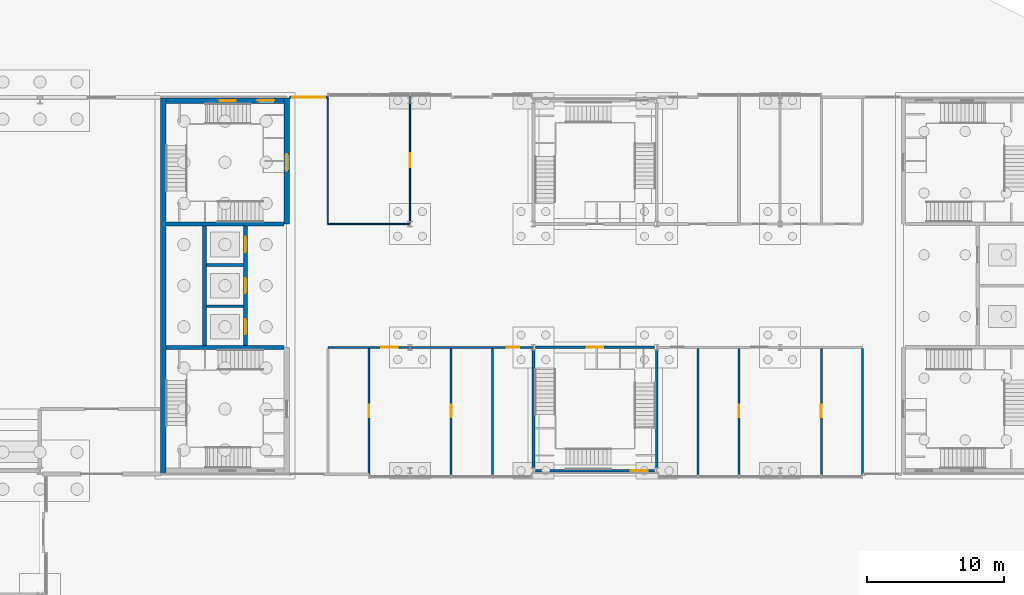
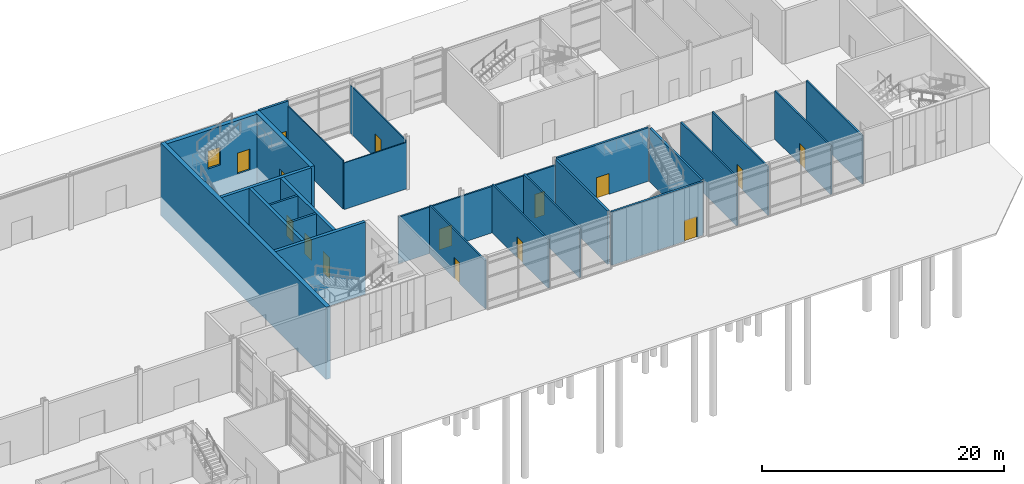
# One storey, part 31 of 45: 25 walls, 15 doors, 1 window, 16 openings.
"""IFC4 building model written with IfcOpenShell, lengths in metres."""

import ifcopenshell
import ifcopenshell.guid

model = None  # the IFC model being written
_history = None  # IfcOwnerHistory: only IFC2X3 demands one
_inside = {}  # id of a spatial element -> (the spatial element, [elements in it])
_under = {}  # id of a project, library or spatial element -> (it, [spatial elements below it])
_declared = {}  # id of a project -> (the project, [libraries it declares])
_typed = {}  # id of a type object -> (the type object, [elements of that type])
_made_of = {}  # id of a material, layer set ... -> (it, [elements and type objects made of it])


def new_model(schema):
    """Start an empty IFC model of exactly this schema.

    Asked for "IFC4X3", IfcOpenShell would pick the latest addendum, in which some entities
    have other attributes; the version numbers below select the first issue.
    IFC2X3 requires an IfcOwnerHistory on every rooted entity: one is made here for all.
    """
    global model, _history
    if schema == "IFC4X3":
        model = ifcopenshell.file(schema_version=(4, 3, 0, 0))
    else:
        model = ifcopenshell.file(schema=schema)
    _inside.clear()
    _under.clear()
    _declared.clear()
    _typed.clear()
    _made_of.clear()
    _history = None
    if model.schema == "IFC2X3":
        org = make("IfcOrganization", Name="unknown")
        user = make(
            "IfcPersonAndOrganization",
            ThePerson=make("IfcPerson", FamilyName="unknown"),
            TheOrganization=org,
        )
        app = make(
            "IfcApplication",
            ApplicationDeveloper=org,
            Version="unknown",
            ApplicationFullName="unknown",
            ApplicationIdentifier="unknown",
        )
        _history = make(
            "IfcOwnerHistory",
            OwningUser=user,
            OwningApplication=app,
            ChangeAction="ADDED",
            CreationDate=0,
        )
    return model


def make(cls, **values):
    """One entity of the class cls with the attributes given. An attribute that is None is left unset."""
    return model.create_entity(
        cls, **{name: value for name, value in values.items() if value is not None}
    )


def rooted(cls, **values):
    """An entity with a GlobalId (a new one), such as an element, a storey or a relation."""
    return make(cls, GlobalId=ifcopenshell.guid.new(), OwnerHistory=_history, **values)


def si_unit(unit_type, name, prefix=None):
    """IfcSIUnit, for example si_unit("LENGTHUNIT", "METRE", prefix="MILLI")."""
    return make("IfcSIUnit", UnitType=unit_type, Prefix=prefix, Name=name)


def assignment(units):
    """IfcUnitAssignment: the units of a project."""
    return None if units is None else make("IfcUnitAssignment", Units=units)


def point(xyz):
    """IfcCartesianPoint."""
    return None if xyz is None else make("IfcCartesianPoint", Coordinates=xyz)


def direction(xyz):
    """IfcDirection."""
    return None if xyz is None else make("IfcDirection", DirectionRatios=xyz)


def frame(location, z_axis=None, x_axis=None):
    """IfcAxis2Placement3D, a coordinate frame: its origin and axes. An axis left out is left unset."""
    return make(
        "IfcAxis2Placement3D",
        Location=point(location),
        Axis=direction(z_axis),
        RefDirection=direction(x_axis),
    )


def frame_2d(location, x_axis=None):
    """IfcAxis2Placement2D, a coordinate frame in the plane: its origin and x axis."""
    return make(
        "IfcAxis2Placement2D", Location=point(location), RefDirection=direction(x_axis)
    )


def origin():
    """The frame at (0, 0, 0) with its axes left unset."""
    return frame((0.0, 0.0, 0.0))


def place(relative_to, where):
    """IfcLocalPlacement: puts the frame where relative to a parent placement (None: the world)."""
    return make(
        "IfcLocalPlacement", PlacementRelTo=relative_to, RelativePlacement=where
    )


def context(
    kind, dimensions, precision=None, world=None, true_north=None, identifier=None
):
    """IfcGeometricRepresentationContext, for example the 3D "Model" context."""
    return make(
        "IfcGeometricRepresentationContext",
        ContextIdentifier=identifier,
        ContextType=kind,
        CoordinateSpaceDimension=dimensions,
        Precision=precision,
        WorldCoordinateSystem=world,
        TrueNorth=true_north,
    )


def subcontext(parent, identifier, kind, view, scale=None):
    """IfcGeometricRepresentationSubContext, for example "Body" below "Model"."""
    return make(
        "IfcGeometricRepresentationSubContext",
        ContextIdentifier=identifier,
        ContextType=kind,
        ParentContext=parent,
        TargetScale=scale,
        TargetView=view,
    )


def project(units=None, contexts=None):
    """IfcProject with its units and contexts."""
    return rooted(
        "IfcProject",
        Name="project",
        RepresentationContexts=contexts,
        UnitsInContext=assignment(units),
    )


def spatial(cls, under=None, at=None, **own):
    """A site, building, storey or space (cls), placed at a placement, below another one or the project."""
    s = rooted(cls, ObjectPlacement=at, **own)
    if under is not None:
        _under.setdefault(under.id(), (under, []))[1].append(s)
    return s


def profile(cls, at=None, kind="AREA", **sizes):
    """A parametric profile (cls). Its sizes go by their IFC names, for example OverallWidth=200.0."""
    return make(cls, ProfileType=kind, Position=at, **sizes)


def rectangle(**sizes):
    """IfcRectangleProfileDef."""
    return profile("IfcRectangleProfileDef", **sizes)


def extrude(swept, where, along, depth):
    """IfcExtrudedAreaSolid: the profile swept, set in the frame where, extruded along a direction by depth."""
    return make(
        "IfcExtrudedAreaSolid",
        SweptArea=swept,
        Position=where,
        ExtrudedDirection=direction(along),
        Depth=depth,
    )


def shape(context_of_items, identifier, shape_type, items):
    """IfcShapeRepresentation: the items that make up one representation, for example the "Body"."""
    return make(
        "IfcShapeRepresentation",
        ContextOfItems=context_of_items,
        RepresentationIdentifier=identifier,
        RepresentationType=shape_type,
        Items=items,
    )


def material(Name=None, Category=None):
    """IfcMaterial."""
    return make("IfcMaterial", Name=Name, Category=Category)


def layer(
    of_material, thickness, ventilated=None, Name=None, Category=None, Priority=None
):
    """IfcMaterialLayer: one layer of a wall or slab, of a material (None: an air gap)."""
    return make(
        "IfcMaterialLayer",
        Material=of_material,
        LayerThickness=thickness,
        IsVentilated=ventilated,
        Name=Name,
        Category=Category,
        Priority=Priority,
    )


def layer_set(layers, Name=None):
    """IfcMaterialLayerSet."""
    return make("IfcMaterialLayerSet", MaterialLayers=layers, LayerSetName=Name)


def made_of(thing, what):
    """Note that an element or type object is made of a material, layer set ...; save() writes the relation."""
    if what is not None:
        _made_of.setdefault(what.id(), (what, []))[1].append(thing)
    return thing


def type_object(cls, material=None, **own):
    """A type object (cls), such as IfcWallType, which elements share."""
    return made_of(rooted(cls, **own), material)


def element(
    cls,
    number,
    at=None,
    inside=None,
    cuts=None,
    type_object=None,
    material=None,
    context=None,
    identifier="Body",
    shape_type=None,
    held_by="IfcProductDefinitionShape",
    body=None,
    shapes=None,
    **own,
):
    """One element of the class cls, such as IfcWall. Its Tag is "e" and its number.

    at: its placement. inside: the storey or other place that contains it. cuts: it is an
    opening in that element (IfcRelVoidsElement). A single representation is given by context,
    identifier, shape_type and body (its items); several are given by shapes. held_by: the class
    of the entity that holds the representations. save() writes the other relations.
    """
    e = rooted(cls, Tag="e%d" % number, ObjectPlacement=at, **own)
    if body is not None:
        shapes = [shape(context, identifier, shape_type, body)]
    if shapes is not None:
        e.Representation = make(held_by, Representations=shapes)
    if inside is not None:
        _inside.setdefault(inside.id(), (inside, []))[1].append(e)
    if cuts is not None:
        rooted(
            "IfcRelVoidsElement", RelatingBuildingElement=cuts, RelatedOpeningElement=e
        )
    if type_object is not None:
        _typed.setdefault(type_object.id(), (type_object, []))[1].append(e)
    return made_of(e, material)


def fill(opening, filler):
    """IfcRelFillsElement: the door or window that sits in an opening."""
    return rooted(
        "IfcRelFillsElement",
        RelatingOpeningElement=opening,
        RelatedBuildingElement=filler,
    )


def aggregate(whole, parts):
    """IfcRelAggregates: a whole, such as a stair, and the parts it consists of."""
    return rooted("IfcRelAggregates", RelatingObject=whole, RelatedObjects=parts)


def save(model, path):
    """Write the relations noted so far, then the file.

    IfcRelAggregates (storeys below a building ...), IfcRelContainedInSpatialStructure (elements
    in a storey), IfcRelDefinesByType, IfcRelAssociatesMaterial and IfcRelDeclares: one each for
    every whole, place, type object, material and project.
    """
    for whole, parts in _under.values():
        aggregate(whole, parts)
    for where, things in _inside.values():
        rooted(
            "IfcRelContainedInSpatialStructure",
            RelatedElements=things,
            RelatingStructure=where,
        )
    for kind, things in _typed.values():
        rooted("IfcRelDefinesByType", RelatedObjects=things, RelatingType=kind)
    for what, things in _made_of.values():
        rooted("IfcRelAssociatesMaterial", RelatedObjects=things, RelatingMaterial=what)
    for by, libraries in _declared.values():
        rooted("IfcRelDeclares", RelatingContext=by, RelatedDefinitions=libraries)
    model.write(path)


model = new_model("IFC4")

# Units and contexts
model_context = context("Model", 3, precision=1e-05, world=origin(), true_north=direction((0.0, 1.0)))
body_context = subcontext(model_context, "Body", "Model", "MODEL_VIEW")
ifc_project = project(units=[si_unit("LENGTHUNIT", "METRE"), si_unit("AREAUNIT", "SQUARE_METRE"), si_unit("VOLUMEUNIT", "CUBIC_METRE"), si_unit("PLANEANGLEUNIT", "RADIAN"), si_unit("MASSUNIT", "GRAM", prefix="KILO")], contexts=[model_context])

# Site, building, storey
site_placement = place(None, origin())
site = spatial("IfcSite", under=ifc_project, at=site_placement, CompositionType="ELEMENT")
building_placement = place(site_placement, origin())
building = spatial("IfcBuilding", under=site, at=building_placement, Name="Azimuth Sports and Learning Centre", CompositionType="ELEMENT")
storey_placement = place(building_placement, origin())
storey = spatial("IfcBuildingStorey", under=building, at=storey_placement, Name="L00", CompositionType="ELEMENT", Elevation=0.0)

# Walls
ifc_material_1 = material(Name="Dense masonry blockwork", Category="masonry")
ifc_layer_1 = layer(ifc_material_1, 0.199951171875)
ifc_layer_set_1 = layer_set([ifc_layer_1], Name="Dense masonry blockwork")
wall_type_1 = type_object("IfcWallType", Name="Blockwork wall 200 EI 120", PredefinedType="SOLIDWALL", material=ifc_layer_set_1)
for number, where, z_axis, x_axis, name in (
    (1, (111.14990234375, 102.0, -1.89990234375), (0.0, 0.0, 1.0), (1.0, 0.0, 0.0), "SD-E-1-L00"),
    (2, (111.14990234375, 105.0, -1.89990234375), (0.0, 0.0, 1.0), (1.0, 0.0, 0.0), "SD-E-2-L00"),
):
    element("IfcWall", number, at=place(storey_placement, frame(where, z_axis=z_axis, x_axis=x_axis)), inside=storey, type_object=wall_type_1, Name=name, PredefinedType="SOLIDWALL", context=body_context, shape_type="SweptSolid", body=[
        extrude(rectangle(XDim=2.7001953125, YDim=0.199951171875, at=frame_2d((1.35009765625, 0.0))), origin(), (0.0, 0.0, 1.0), 7.2998046875),
    ])

# Wall, opening, door
ifc_material_2 = material(Name="Insulated cladding wall")
ifc_layer_2 = layer(ifc_material_2, 0.199951171875)
ifc_layer_set_2 = layer_set([ifc_layer_2], Name="Insulated cladding wall")
wall_type_2 = type_object("IfcWallType", Name="Entrance wall 200", PredefinedType="SOLIDWALL", material=ifc_layer_set_2)
wall_1_placement = place(storey_placement, frame((120.0, 117.25, 0.0), z_axis=(0.0, 0.0, 1.0), x_axis=(-1.0, 0.0, 0.0)))
wall_1 = element("IfcWall", 3, at=wall_1_placement, inside=storey, type_object=wall_type_2, Name="Entrance wall N-WING E-2 L00", PredefinedType="SOLIDWALL", context=body_context, shape_type="SweptSolid", body=[
    extrude(rectangle(XDim=2.800048828125, YDim=0.199951171875, at=frame_2d((1.39990234375, 0.0))), origin(), (0.0, 0.0, 1.0), 5.39990234375),
])
opening_1_placement = place(wall_1_placement, frame((0.199951171875, 0.0, 0.0)))
opening_1 = element("IfcOpeningElement", 4, at=opening_1_placement, cuts=wall_1, Name="Opening D00-015", PredefinedType="OPENING", context=body_context, shape_type="SweptSolid", body=[
    extrude(rectangle(XDim=2.39990234375, YDim=2.39990234375, at=frame_2d((1.199951171875, 1.199951171875))), frame((0.0, 0.11083984375, 0.0), z_axis=(0.0, -1.0, 0.0), x_axis=(1.0, 0.0, 0.0)), (0.0, 0.0, 1.0), 0.221923828125),
])
ifc_material_3 = material(Name="Steel", Category="steel")
door_type_1 = type_object("IfcDoorType", Name="Exterior door double leaf 2400x2400 FD60", OperationType="DOUBLE_DOOR_DOUBLE_SWING", PredefinedType="DOOR", material=ifc_material_3)
door_1_placement = place(opening_1_placement, frame((2.39990234375, 0.0, 0.0), z_axis=(0.0, 0.0, 1.0), x_axis=(-1.0, 0.0, 0.0)))
door_1 = element("IfcDoor", 5, at=door_1_placement, inside=storey, type_object=door_type_1, Name="Exterior door D00-015", OperationType="DOUBLE_DOOR_DOUBLE_SWING", OverallHeight=2.39990234375, OverallWidth=2.39990234375, PredefinedType="DOOR", context=body_context, shape_type="SweptSolid", body=[
    extrude(rectangle(XDim=2.39990234375, YDim=2.39990234375, at=frame_2d((1.199951171875, 1.199951171875))), frame((0.0, 0.02490234375, 0.0), z_axis=(0.0, -1.0, 0.0), x_axis=(1.0, 0.0, 0.0)), (0.0, 0.0, 1.0), 0.050048828125),
])
fill(opening_1, door_1)

# Walls
ifc_material_4 = material(Name="Gypsum board on steel studs", Category="steel")
ifc_layer_3 = layer(ifc_material_4, 0.10009765625)
ifc_layer_set_3 = layer_set([ifc_layer_3], Name="Gypsum board on steel studs")
wall_type_3 = type_object("IfcWallType", Name="Partition 100 EI 30", PredefinedType="PARTITIONING", material=ifc_layer_set_3)
wall_2_placement = place(storey_placement, frame((120.0, 108.0, 0.0), z_axis=(0.0, 0.0, 1.0), x_axis=(1.0, 0.0, 0.0)))
element("IfcWall", 6, at=wall_2_placement, inside=storey, type_object=wall_type_3, Name="Partition 100 EI 30", PredefinedType="PARTITIONING", context=body_context, shape_type="SweptSolid", body=[
    extrude(rectangle(XDim=6.0, YDim=0.10009765625, at=frame_2d((3.0, 0.0))), origin(), (0.0, 0.0, 1.0), 4.699951171875),
])
wall_3_placement = place(storey_placement, frame((120.0, 108.050048828125, 0.0), z_axis=(0.0, 0.0, 1.0), x_axis=(0.0, 1.0, 0.0)))
element("IfcWall", 7, at=wall_3_placement, inside=storey, type_object=wall_type_3, Name="Partition 100 EI 30", PredefinedType="PARTITIONING", context=body_context, shape_type="SweptSolid", body=[
    extrude(rectangle(XDim=9.25, YDim=0.10009765625, at=frame_2d((4.625, 0.0))), origin(), (0.0, 0.0, 1.0), 4.889892578125),
])

# Wall, opening, door
wall_4_placement = place(storey_placement, frame((126.0, 108.050048828125, 0.0), z_axis=(0.0, 0.0, 1.0), x_axis=(0.0, 1.0, 0.0)))
wall_4 = element("IfcWall", 8, at=wall_4_placement, inside=storey, type_object=wall_type_3, Name="Partition 100 EI 30", PredefinedType="PARTITIONING", context=body_context, shape_type="SweptSolid", body=[
    extrude(rectangle(XDim=9.25, YDim=0.10009765625, at=frame_2d((4.625, 0.0))), origin(), (0.0, 0.0, 1.0), 4.85009765625),
])
opening_2_placement = place(wall_4_placement, frame((4.10009765625, 0.0, 0.0)))
opening_2 = element("IfcOpeningElement", 9, at=opening_2_placement, cuts=wall_4, Name="Opening D00-088", PredefinedType="OPENING", context=body_context, shape_type="SweptSolid", body=[
    extrude(rectangle(XDim=1.0, YDim=2.39990234375, at=frame_2d((0.5, 1.199951171875))), frame((0.0, 0.06103515625, 0.0), z_axis=(0.0, -1.0, 0.0), x_axis=(1.0, 0.0, 0.0)), (0.0, 0.0, 1.0), 0.1220703125),
])
ifc_material_5 = material(Name="Timber fire door set", Category="wood")
door_type_2 = type_object("IfcDoorType", Name="Timber door single 1000x2400 FD30S", OperationType="NOTDEFINED", PredefinedType="DOOR", material=ifc_material_5)
door_2_placement = place(opening_2_placement, origin())
door_2 = element("IfcDoor", 10, at=door_2_placement, inside=storey, type_object=door_type_2, Name="Door D00-088", OperationType="SINGLE_SWING_LEFT", OverallHeight=2.39990234375, OverallWidth=1.0, PredefinedType="DOOR", context=body_context, shape_type="SweptSolid", body=[
    extrude(rectangle(XDim=1.0, YDim=2.39990234375, at=frame_2d((0.5, 1.199951171875))), frame((0.0, 0.02490234375, 0.0), z_axis=(0.0, -1.0, 0.0), x_axis=(1.0, 0.0, 0.0)), (0.0, 0.0, 1.0), 0.050048828125),
])
fill(opening_2, door_2)

# Wall, openings, doors
ifc_material_6 = material(Name="Lightweight blockwork, rendered", Category="masonry")
ifc_layer_4 = layer(ifc_material_6, 0.14990234375)
ifc_layer_set_4 = layer_set([ifc_layer_4], Name="Lightweight blockwork, rendered")
wall_type_4 = type_object("IfcWallType", Name="Partition 150 EI 60", PredefinedType="PARTITIONING", material=ifc_layer_set_4)
wall_5_placement = place(storey_placement, frame((120.0, 99.0, 0.0), z_axis=(0.0, 0.0, 1.0), x_axis=(1.0, 0.0, 0.0)))
wall_5 = element("IfcWall", 11, at=wall_5_placement, inside=storey, type_object=wall_type_4, Name="Partition 150 EI 60", PredefinedType="PARTITIONING", context=body_context, shape_type="SweptSolid", body=[
    extrude(rectangle(XDim=15.0, YDim=0.14990234375, at=frame_2d((7.5, 0.0))), origin(), (0.0, 0.0, 1.0), 4.699951171875),
])
opening_3_placement = place(wall_5_placement, frame((13.050048828125, 0.0, 0.0)))
opening_3 = element("IfcOpeningElement", 12, at=opening_3_placement, cuts=wall_5, Name="Opening D00-080", PredefinedType="OPENING", context=body_context, shape_type="SweptSolid", body=[
    extrude(rectangle(XDim=0.89990234375, YDim=2.39990234375, at=frame_2d((0.449951171875, 1.199951171875))), frame((0.0, 0.0859375, 0.0), z_axis=(0.0, -1.0, 0.0), x_axis=(1.0, 0.0, 0.0)), (0.0, 0.0, 1.0), 0.171875),
])
opening_4_placement = place(wall_5_placement, frame((3.89990234375, 0.0, 0.0)))
opening_4 = element("IfcOpeningElement", 13, at=opening_4_placement, cuts=wall_5, Name="Opening D00-082", PredefinedType="OPENING", context=body_context, shape_type="SweptSolid", body=[
    extrude(rectangle(XDim=1.199951171875, YDim=2.10009765625, at=frame_2d((0.60009765625, 1.050048828125))), frame((0.0, 0.0859375, 0.0), z_axis=(0.0, -1.0, 0.0), x_axis=(1.0, 0.0, 0.0)), (0.0, 0.0, 1.0), 0.171875),
])
ifc_material_7 = material(Name="Timber fire door set", Category="wood")
door_type_3 = type_object("IfcDoorType", Name="Timber door single 1200x2100 FD60", OperationType="NOTDEFINED", PredefinedType="DOOR", material=ifc_material_7)
door_3_placement = place(opening_4_placement, frame((1.199951171875, 0.0, 0.0), z_axis=(0.0, 0.0, 1.0), x_axis=(-1.0, 0.0, 0.0)))
door_3 = element("IfcDoor", 14, at=door_3_placement, inside=storey, type_object=door_type_3, Name="Door D00-082", OperationType="SINGLE_SWING_RIGHT", OverallHeight=2.10009765625, OverallWidth=1.199951171875, PredefinedType="DOOR", context=body_context, shape_type="SweptSolid", body=[
    extrude(rectangle(XDim=1.199951171875, YDim=2.10009765625, at=frame_2d((0.60009765625, 1.050048828125))), frame((0.0, 0.02490234375, 0.0), z_axis=(0.0, -1.0, 0.0), x_axis=(1.0, 0.0, 0.0)), (0.0, 0.0, 1.0), 0.050048828125),
])
fill(opening_4, door_3)
ifc_material_8 = material(Name="Timber fire door set", Category="wood")
door_type_4 = type_object("IfcDoorType", Name="Timber door single 900x2400 FD60", OperationType="NOTDEFINED", PredefinedType="DOOR", material=ifc_material_8)
door_4_placement = place(opening_3_placement, frame((0.89990234375, 0.0, 0.0), z_axis=(0.0, 0.0, 1.0), x_axis=(-1.0, 0.0, 0.0)))
door_4 = element("IfcDoor", 15, at=door_4_placement, inside=storey, type_object=door_type_4, Name="Door D00-080", OperationType="SINGLE_SWING_LEFT", OverallHeight=2.39990234375, OverallWidth=0.89990234375, PredefinedType="DOOR", context=body_context, shape_type="SweptSolid", body=[
    extrude(rectangle(XDim=0.89990234375, YDim=2.39990234375, at=frame_2d((0.449951171875, 1.199951171875))), frame((0.0, 0.02490234375, 0.0), z_axis=(0.0, -1.0, 0.0), x_axis=(1.0, 0.0, 0.0)), (0.0, 0.0, 1.0), 0.050048828125),
])
fill(opening_3, door_4)

# Wall, opening, door
wall_6_placement = place(storey_placement, frame((123.0, 89.699951171875, 0.0), z_axis=(0.0, 0.0, 1.0), x_axis=(0.0, 1.0, 0.0)))
wall_6 = element("IfcWall", 16, at=wall_6_placement, inside=storey, type_object=wall_type_4, Name="Partition 150 EI 60", PredefinedType="PARTITIONING", context=body_context, shape_type="SweptSolid", body=[
    extrude(rectangle(XDim=9.22509765625, YDim=0.14990234375, at=frame_2d((4.612548828125, 0.0))), origin(), (0.0, 0.0, 1.0), 4.889892578125),
])
opening_5_placement = place(wall_6_placement, frame((4.199951171875, 0.0, 0.0)))
opening_5 = element("IfcOpeningElement", 17, at=opening_5_placement, cuts=wall_6, Name="Opening D00-083", PredefinedType="OPENING", context=body_context, shape_type="SweptSolid", body=[
    extrude(rectangle(XDim=0.89990234375, YDim=2.10009765625, at=frame_2d((0.449951171875, 1.050048828125))), frame((0.0, 0.0859375, 0.0), z_axis=(0.0, -1.0, 0.0), x_axis=(1.0, 0.0, 0.0)), (0.0, 0.0, 1.0), 0.171875),
])
ifc_material_9 = material(Name="Timber fire door set", Category="wood")
door_type_5 = type_object("IfcDoorType", Name="Timber door single 900x2100 FD60", OperationType="NOTDEFINED", PredefinedType="DOOR", material=ifc_material_9)
door_5_placement = place(opening_5_placement, origin())
door_5 = element("IfcDoor", 18, at=door_5_placement, inside=storey, type_object=door_type_5, Name="Door D00-083", OperationType="SINGLE_SWING_RIGHT", OverallHeight=2.10009765625, OverallWidth=0.89990234375, PredefinedType="DOOR", context=body_context, shape_type="SweptSolid", body=[
    extrude(rectangle(XDim=0.89990234375, YDim=2.10009765625, at=frame_2d((0.449951171875, 1.050048828125))), frame((0.0, 0.02490234375, 0.0), z_axis=(0.0, -1.0, 0.0), x_axis=(1.0, 0.0, 0.0)), (0.0, 0.0, 1.0), 0.050048828125),
])
fill(opening_5, door_5)

wall_7_placement = place(storey_placement, frame((129.0, 89.699951171875, 0.0), z_axis=(0.0, 0.0, 1.0), x_axis=(0.0, 1.0, 0.0)))
wall_7 = element("IfcWall", 19, at=wall_7_placement, inside=storey, type_object=wall_type_4, Name="Partition 150 EI 60", PredefinedType="PARTITIONING", context=body_context, shape_type="SweptSolid", body=[
    extrude(rectangle(XDim=9.22509765625, YDim=0.14990234375, at=frame_2d((4.612548828125, 0.0))), origin(), (0.0, 0.0, 1.0), 4.889892578125),
])
opening_6_placement = place(wall_7_placement, frame((4.199951171875, 0.0, 0.0)))
opening_6 = element("IfcOpeningElement", 20, at=opening_6_placement, cuts=wall_7, Name="Opening D00-081", PredefinedType="OPENING", context=body_context, shape_type="SweptSolid", body=[
    extrude(rectangle(XDim=0.89990234375, YDim=2.10009765625, at=frame_2d((0.449951171875, 1.050048828125))), frame((0.0, 0.0859375, 0.0), z_axis=(0.0, -1.0, 0.0), x_axis=(1.0, 0.0, 0.0)), (0.0, 0.0, 1.0), 0.171875),
])
door_6_placement = place(opening_6_placement, frame((0.89990234375, 0.0, 0.0), z_axis=(0.0, 0.0, 1.0), x_axis=(-1.0, 0.0, 0.0)))
door_6 = element("IfcDoor", 21, at=door_6_placement, inside=storey, type_object=door_type_5, Name="Door D00-081", OperationType="SINGLE_SWING_LEFT", OverallHeight=2.10009765625, OverallWidth=0.89990234375, PredefinedType="DOOR", context=body_context, shape_type="SweptSolid", body=[
    extrude(rectangle(XDim=0.89990234375, YDim=2.10009765625, at=frame_2d((0.449951171875, 1.050048828125))), frame((0.0, 0.02490234375, 0.0), z_axis=(0.0, -1.0, 0.0), x_axis=(1.0, 0.0, 0.0)), (0.0, 0.0, 1.0), 0.050048828125),
])
fill(opening_6, door_6)

# Walls
for number, where, z_axis, x_axis, name in (
    (22, (132.0, 89.699951171875, 0.0), (0.0, 0.0, 1.0), (0.0, 1.0, 0.0), "Partition 150 EI 60"),
    (23, (147.0, 89.699951171875, 0.0), (0.0, 0.0, 1.0), (0.0, 1.0, 0.0), "Partition 150 EI 60"),
):
    element("IfcWall", number, at=place(storey_placement, frame(where, z_axis=z_axis, x_axis=x_axis)), inside=storey, type_object=wall_type_4, Name=name, PredefinedType="PARTITIONING", context=body_context, shape_type="SweptSolid", body=[
        extrude(rectangle(XDim=9.22509765625, YDim=0.14990234375, at=frame_2d((4.612548828125, 0.0))), origin(), (0.0, 0.0, 1.0), 4.889892578125),
    ])

# Wall, opening, door
wall_8_placement = place(storey_placement, frame((150.0, 89.699951171875, 0.0), z_axis=(0.0, 0.0, 1.0), x_axis=(0.0, 1.0, 0.0)))
wall_8 = element("IfcWall", 24, at=wall_8_placement, inside=storey, type_object=wall_type_4, Name="Partition 150 EI 60", PredefinedType="PARTITIONING", context=body_context, shape_type="SweptSolid", body=[
    extrude(rectangle(XDim=9.22509765625, YDim=0.14990234375, at=frame_2d((4.612548828125, 0.0))), origin(), (0.0, 0.0, 1.0), 4.889892578125),
])
opening_7_placement = place(wall_8_placement, frame((4.199951171875, 0.0, 0.0)))
opening_7 = element("IfcOpeningElement", 25, at=opening_7_placement, cuts=wall_8, Name="Opening D00-078", PredefinedType="OPENING", context=body_context, shape_type="SweptSolid", body=[
    extrude(rectangle(XDim=0.89990234375, YDim=2.10009765625, at=frame_2d((0.449951171875, 1.050048828125))), frame((0.0, 0.0859375, 0.0), z_axis=(0.0, -1.0, 0.0), x_axis=(1.0, 0.0, 0.0)), (0.0, 0.0, 1.0), 0.171875),
])
door_7_placement = place(opening_7_placement, origin())
door_7 = element("IfcDoor", 26, at=door_7_placement, inside=storey, type_object=door_type_5, Name="Door D00-078", OperationType="SINGLE_SWING_RIGHT", OverallHeight=2.10009765625, OverallWidth=0.89990234375, PredefinedType="DOOR", context=body_context, shape_type="SweptSolid", body=[
    extrude(rectangle(XDim=0.89990234375, YDim=2.10009765625, at=frame_2d((0.449951171875, 1.050048828125))), frame((0.0, 0.02490234375, 0.0), z_axis=(0.0, -1.0, 0.0), x_axis=(1.0, 0.0, 0.0)), (0.0, 0.0, 1.0), 0.050048828125),
])
fill(opening_7, door_7)

wall_9_placement = place(storey_placement, frame((156.0, 89.699951171875, 0.0), z_axis=(0.0, 0.0, 1.0), x_axis=(0.0, 1.0, 0.0)))
wall_9 = element("IfcWall", 27, at=wall_9_placement, inside=storey, type_object=wall_type_4, Name="Partition 150 EI 60", PredefinedType="PARTITIONING", context=body_context, shape_type="SweptSolid", body=[
    extrude(rectangle(XDim=9.22509765625, YDim=0.14990234375, at=frame_2d((4.612548828125, 0.0))), origin(), (0.0, 0.0, 1.0), 4.889892578125),
])
opening_8_placement = place(wall_9_placement, frame((4.199951171875, 0.0, 0.0)))
opening_8 = element("IfcOpeningElement", 28, at=opening_8_placement, cuts=wall_9, Name="Opening D00-076", PredefinedType="OPENING", context=body_context, shape_type="SweptSolid", body=[
    extrude(rectangle(XDim=0.89990234375, YDim=2.10009765625, at=frame_2d((0.449951171875, 1.050048828125))), frame((0.0, 0.0859375, 0.0), z_axis=(0.0, -1.0, 0.0), x_axis=(1.0, 0.0, 0.0)), (0.0, 0.0, 1.0), 0.171875),
])
door_8_placement = place(opening_8_placement, frame((0.89990234375, 0.0, 0.0), z_axis=(0.0, 0.0, 1.0), x_axis=(-1.0, 0.0, 0.0)))
door_8 = element("IfcDoor", 29, at=door_8_placement, inside=storey, type_object=door_type_5, Name="Door D00-076", OperationType="SINGLE_SWING_LEFT", OverallHeight=2.10009765625, OverallWidth=0.89990234375, PredefinedType="DOOR", context=body_context, shape_type="SweptSolid", body=[
    extrude(rectangle(XDim=0.89990234375, YDim=2.10009765625, at=frame_2d((0.449951171875, 1.050048828125))), frame((0.0, 0.02490234375, 0.0), z_axis=(0.0, -1.0, 0.0), x_axis=(1.0, 0.0, 0.0)), (0.0, 0.0, 1.0), 0.050048828125),
])
fill(opening_8, door_8)

# Wall
wall_10_placement = place(storey_placement, frame((159.0, 89.699951171875, 0.0), z_axis=(0.0, 0.0, 1.0), x_axis=(0.0, 1.0, 0.0)))
element("IfcWall", 30, at=wall_10_placement, inside=storey, type_object=wall_type_4, Name="Partition 150 EI 60", PredefinedType="PARTITIONING", context=body_context, shape_type="SweptSolid", body=[
    extrude(rectangle(XDim=9.22509765625, YDim=0.14990234375, at=frame_2d((4.612548828125, 0.0))), origin(), (0.0, 0.0, 1.0), 4.889892578125),
])

# Wall, opening, door
ifc_material_10 = material(Name="Concrete C40/50", Category="concrete")
ifc_layer_5 = layer(ifc_material_10, 0.199951171875)
ifc_layer_set_5 = layer_set([ifc_layer_5], Name="Concrete C40/50")
wall_type_5 = type_object("IfcWallType", Name="RC cell wall 200 EI 120", PredefinedType="SHEAR", material=ifc_layer_set_5)
wall_11_placement = place(storey_placement, frame((135.14990234375, 99.0, 0.0), z_axis=(0.0, 0.0, 1.0), x_axis=(1.0, 0.0, 0.0)))
wall_11 = element("IfcWall", 31, at=wall_11_placement, inside=storey, type_object=wall_type_5, Name="CE-EM1-N-L00", PredefinedType="SHEAR", context=body_context, shape_type="SweptSolid", body=[
    extrude(rectangle(XDim=8.7001953125, YDim=0.199951171875, at=frame_2d((4.35009765625, 0.0))), origin(), (0.0, 0.0, 1.0), 5.39990234375),
])
opening_9_placement = place(wall_11_placement, frame((3.75, 0.0, 0.0)))
opening_9 = element("IfcOpeningElement", 32, at=opening_9_placement, cuts=wall_11, Name="Opening D00-044", PredefinedType="OPENING", context=body_context, shape_type="SweptSolid", body=[
    extrude(rectangle(XDim=1.199951171875, YDim=2.10009765625, at=frame_2d((0.60009765625, 1.050048828125))), frame((0.0, 0.11083984375, 0.0), z_axis=(0.0, -1.0, 0.0), x_axis=(1.0, 0.0, 0.0)), (0.0, 0.0, 1.0), 0.221923828125),
])
ifc_material_11 = material(Name="Steel", Category="steel")
door_type_6 = type_object("IfcDoorType", Name="Stair fire door 1200 x 2100", OperationType="NOTDEFINED", PredefinedType="DOOR", material=ifc_material_11)
door_9_placement = place(opening_9_placement, origin())
door_9 = element("IfcDoor", 33, at=door_9_placement, inside=storey, type_object=door_type_6, Name="Stair door EM1 L00", OperationType="SINGLE_SWING_RIGHT", OverallHeight=2.10009765625, OverallWidth=1.199951171875, PredefinedType="DOOR", context=body_context, shape_type="SweptSolid", body=[
    extrude(rectangle(XDim=1.199951171875, YDim=2.10009765625, at=frame_2d((0.60009765625, 1.050048828125))), frame((0.0, 0.02490234375, 0.0), z_axis=(0.0, -1.0, 0.0), x_axis=(1.0, 0.0, 0.0)), (0.0, 0.0, 1.0), 0.050048828125),
])
fill(opening_9, door_9)

# Walls
for number, where, z_axis, x_axis, name in (
    (34, (135.0, 90.199951171875, 0.0), (0.0, 0.0, 1.0), (0.0, 1.0, 0.0), "CE-EM1-W-L00"),
    (35, (144.0, 90.199951171875, 0.0), (0.0, 0.0, 1.0), (0.0, 1.0, 0.0), "CE-EM1-E-L00"),
):
    element("IfcWall", number, at=place(storey_placement, frame(where, z_axis=z_axis, x_axis=x_axis)), inside=storey, type_object=wall_type_5, Name=name, PredefinedType="SHEAR", context=body_context, shape_type="SweptSolid", body=[
        extrude(rectangle(XDim=8.60009765625, YDim=0.199951171875, at=frame_2d((4.300048828125, 0.0))), origin(), (0.0, 0.0, 1.0), 5.39990234375),
    ])
ifc_material_12 = material(Name="Concrete C40/50", Category="concrete")
ifc_layer_6 = layer(ifc_material_12, 0.300048828125)
ifc_layer_set_6 = layer_set([ifc_layer_6], Name="Concrete C40/50")
wall_type_6 = type_object("IfcWallType", Name="RC core wall 300", PredefinedType="SHEAR", material=ifc_layer_set_6)
for number, where, z_axis, x_axis, name in (
    (36, (108.199951171875, 99.0, -1.89990234375), (0.0, 0.0, 1.0), (1.0, 0.0, 0.0), "Core wall E D1 L00"),
    (37, (108.199951171875, 108.0, -1.89990234375), (0.0, 0.0, 1.0), (1.0, 0.0, 0.0), "Core wall E D2 L00"),
):
    element("IfcWall", number, at=place(storey_placement, frame(where, z_axis=z_axis, x_axis=x_axis)), inside=storey, type_object=wall_type_6, Name=name, PredefinedType="SHEAR", context=body_context, shape_type="SweptSolid", body=[
        extrude(rectangle(XDim=8.60009765625, YDim=0.300048828125, at=frame_2d((4.300048828125, 0.0))), origin(), (0.0, 0.0, 1.0), 7.2998046875),
    ])
wall_12_placement = place(storey_placement, frame((111.0, 99.14990234375, -1.89990234375), z_axis=(0.0, 0.0, 1.0), x_axis=(0.0, 1.0, 0.0)))
element("IfcWall", 38, at=wall_12_placement, inside=storey, type_object=wall_type_6, Name="Core wall E LB1 L00", PredefinedType="SHEAR", context=body_context, shape_type="SweptSolid", body=[
    extrude(rectangle(XDim=8.7001953125, YDim=0.300048828125, at=frame_2d((4.35009765625, 0.0))), origin(), (0.0, 0.0, 1.0), 7.2998046875),
])

# Wall, openings, doors
wall_13_placement = place(storey_placement, frame((114.0, 99.14990234375, -1.89990234375), z_axis=(0.0, 0.0, 1.0), x_axis=(0.0, 1.0, 0.0)))
wall_13 = element("IfcWall", 39, at=wall_13_placement, inside=storey, type_object=wall_type_6, Name="Core wall E LB2 L00", PredefinedType="SHEAR", context=body_context, shape_type="SweptSolid", body=[
    extrude(rectangle(XDim=8.7001953125, YDim=0.300048828125, at=frame_2d((4.35009765625, 0.0))), origin(), (0.0, 0.0, 1.0), 7.2998046875),
])
opening_10_placement = place(wall_13_placement, frame((0.800048828125, 0.0, 1.89990234375)))
opening_10 = element("IfcOpeningElement", 40, at=opening_10_placement, cuts=wall_13, Name="Opening D00-057", PredefinedType="OPENING", context=body_context, shape_type="SweptSolid", body=[
    extrude(rectangle(XDim=1.10009765625, YDim=2.10009765625, at=frame_2d((0.550048828125, 1.050048828125))), frame((0.0, 0.1611328125, 0.0), z_axis=(0.0, -1.0, 0.0), x_axis=(1.0, 0.0, 0.0)), (0.0, 0.0, 1.0), 0.322021484375),
])
opening_11_placement = place(wall_13_placement, frame((3.800048828125, 0.0, 1.89990234375)))
opening_11 = element("IfcOpeningElement", 41, at=opening_11_placement, cuts=wall_13, Name="Opening D00-058", PredefinedType="OPENING", context=body_context, shape_type="SweptSolid", body=[
    extrude(rectangle(XDim=1.10009765625, YDim=2.10009765625, at=frame_2d((0.550048828125, 1.050048828125))), frame((0.0, 0.1611328125, 0.0), z_axis=(0.0, -1.0, 0.0), x_axis=(1.0, 0.0, 0.0)), (0.0, 0.0, 1.0), 0.322021484375),
])
opening_12_placement = place(wall_13_placement, frame((6.800048828125, 0.0, 1.89990234375)))
opening_12 = element("IfcOpeningElement", 42, at=opening_12_placement, cuts=wall_13, Name="Opening D00-059", PredefinedType="OPENING", context=body_context, shape_type="SweptSolid", body=[
    extrude(rectangle(XDim=1.10009765625, YDim=2.10009765625, at=frame_2d((0.550048828125, 1.050048828125))), frame((0.0, 0.1611328125, 0.0), z_axis=(0.0, -1.0, 0.0), x_axis=(1.0, 0.0, 0.0)), (0.0, 0.0, 1.0), 0.322021484375),
])
ifc_material_13 = material(Name="Stainless steel", Category="steel")
door_type_7 = type_object("IfcDoorType", Name="Lift landing door 1100 x 2100", OperationType="DOUBLE_DOOR_SLIDING", PredefinedType="DOOR", material=ifc_material_13)
door_10_placement = place(opening_10_placement, origin())
door_10 = element("IfcDoor", 43, at=door_10_placement, inside=storey, type_object=door_type_7, Name="Landing door LE1 L00", OperationType="DOUBLE_DOOR_SLIDING", OverallHeight=2.10009765625, OverallWidth=1.10009765625, PredefinedType="DOOR", context=body_context, shape_type="SweptSolid", body=[
    extrude(rectangle(XDim=1.10009765625, YDim=2.10009765625, at=frame_2d((0.550048828125, 1.050048828125))), frame((0.0, 0.02490234375, 0.0), z_axis=(0.0, -1.0, 0.0), x_axis=(1.0, 0.0, 0.0)), (0.0, 0.0, 1.0), 0.050048828125),
])
fill(opening_10, door_10)
door_11_placement = place(opening_11_placement, origin())
door_11 = element("IfcDoor", 44, at=door_11_placement, inside=storey, type_object=door_type_7, Name="Landing door LE2 L00", OperationType="DOUBLE_DOOR_SLIDING", OverallHeight=2.10009765625, OverallWidth=1.10009765625, PredefinedType="DOOR", context=body_context, shape_type="SweptSolid", body=[
    extrude(rectangle(XDim=1.10009765625, YDim=2.10009765625, at=frame_2d((0.550048828125, 1.050048828125))), frame((0.0, 0.02490234375, 0.0), z_axis=(0.0, -1.0, 0.0), x_axis=(1.0, 0.0, 0.0)), (0.0, 0.0, 1.0), 0.050048828125),
])
fill(opening_11, door_11)
door_12_placement = place(opening_12_placement, origin())
door_12 = element("IfcDoor", 45, at=door_12_placement, inside=storey, type_object=door_type_7, Name="Landing door LE3 L00", OperationType="DOUBLE_DOOR_SLIDING", OverallHeight=2.10009765625, OverallWidth=1.10009765625, PredefinedType="DOOR", context=body_context, shape_type="SweptSolid", body=[
    extrude(rectangle(XDim=1.10009765625, YDim=2.10009765625, at=frame_2d((0.550048828125, 1.050048828125))), frame((0.0, 0.02490234375, 0.0), z_axis=(0.0, -1.0, 0.0), x_axis=(1.0, 0.0, 0.0)), (0.0, 0.0, 1.0), 0.050048828125),
])
fill(opening_12, door_12)

# Wall
ifc_material_14 = material(Name="Concrete C40/50", Category="concrete")
ifc_layer_7 = layer(ifc_material_14, 0.39990234375)
ifc_layer_set_7 = layer_set([ifc_layer_7], Name="Concrete C40/50")
wall_type_7 = type_object("IfcWallType", Name="RC core wall 400", PredefinedType="SHEAR", material=ifc_layer_set_7)
wall_14_placement = place(storey_placement, frame((108.0, 89.800048828125, -1.89990234375), z_axis=(0.0, 0.0, 1.0), x_axis=(0.0, 1.0, 0.0)))
element("IfcWall", 46, at=wall_14_placement, inside=storey, type_object=wall_type_7, Name="Core wall E W L00", PredefinedType="SHEAR", context=body_context, shape_type="SweptSolid", body=[
    extrude(rectangle(XDim=27.39990234375, YDim=0.39990234375, at=frame_2d((13.699951171875, 0.0))), origin(), (0.0, 0.0, 1.0), 7.2998046875),
])

# Wall, opening, door
wall_15_placement = place(storey_placement, frame((117.0, 108.0, -1.89990234375), z_axis=(0.0, 0.0, 1.0), x_axis=(0.0, 1.0, 0.0)))
wall_15 = element("IfcWall", 47, at=wall_15_placement, inside=storey, type_object=wall_type_7, Name="Core wall E EN L00", PredefinedType="SHEAR", context=body_context, shape_type="SweptSolid", body=[
    extrude(rectangle(XDim=9.199951171875, YDim=0.39990234375, at=frame_2d((4.60009765625, 0.0))), origin(), (0.0, 0.0, 1.0), 7.2998046875),
])
opening_13_placement = place(wall_15_placement, frame((3.89990234375, 0.0, 1.89990234375)))
opening_13 = element("IfcOpeningElement", 48, at=opening_13_placement, cuts=wall_15, Name="Opening D00-030", PredefinedType="OPENING", context=body_context, shape_type="SweptSolid", body=[
    extrude(rectangle(XDim=1.199951171875, YDim=2.10009765625, at=frame_2d((0.60009765625, 1.050048828125))), frame((0.0, 0.2109375, 0.0), z_axis=(0.0, -1.0, 0.0), x_axis=(1.0, 0.0, 0.0)), (0.0, 0.0, 1.0), 0.421875),
])
door_13_placement = place(opening_13_placement, frame((1.199951171875, 0.0, 0.0), z_axis=(0.0, 0.0, 1.0), x_axis=(-1.0, 0.0, 0.0)))
door_13 = element("IfcDoor", 49, at=door_13_placement, inside=storey, type_object=door_type_6, Name="Stair door E2 L00", OperationType="SINGLE_SWING_RIGHT", OverallHeight=2.10009765625, OverallWidth=1.199951171875, PredefinedType="DOOR", context=body_context, shape_type="SweptSolid", body=[
    extrude(rectangle(XDim=1.199951171875, YDim=2.10009765625, at=frame_2d((0.60009765625, 1.050048828125))), frame((0.0, 0.02490234375, 0.0), z_axis=(0.0, -1.0, 0.0), x_axis=(1.0, 0.0, 0.0)), (0.0, 0.0, 1.0), 0.050048828125),
])
fill(opening_13, door_13)

ifc_material_15 = material(Name="Concrete C40/50", Category="concrete")
ifc_layer_8 = layer(ifc_material_15, 0.199951171875)
ifc_layer_set_8 = layer_set([ifc_layer_8], Name="Concrete C40/50")
wall_type_8 = type_object("IfcWallType", Name="RC external cell wall 200 EI 120", PredefinedType="SHEAR", material=ifc_layer_set_8)
wall_16_placement = place(storey_placement, frame((135.14990234375, 90.0, 0.0), z_axis=(0.0, 0.0, 1.0), x_axis=(1.0, 0.0, 0.0)))
wall_16 = element("IfcWall", 50, at=wall_16_placement, inside=storey, type_object=wall_type_8, Name="CE-EM1-S-L00", PredefinedType="SHEAR", context=body_context, shape_type="SweptSolid", body=[
    extrude(rectangle(XDim=8.7001953125, YDim=0.199951171875, at=frame_2d((4.35009765625, 0.0))), origin(), (0.0, 0.0, 1.0), 5.39990234375),
])
opening_14_placement = place(wall_16_placement, frame((6.949951171875, 0.0, 0.0)))
opening_14 = element("IfcOpeningElement", 51, at=opening_14_placement, cuts=wall_16, Name="Opening D00-045", PredefinedType="OPENING", context=body_context, shape_type="SweptSolid", body=[
    extrude(rectangle(XDim=1.199951171875, YDim=2.10009765625, at=frame_2d((0.60009765625, 1.050048828125))), frame((0.0, 0.11083984375, 0.0), z_axis=(0.0, -1.0, 0.0), x_axis=(1.0, 0.0, 0.0)), (0.0, 0.0, 1.0), 0.221923828125),
])
door_14_placement = place(opening_14_placement, frame((1.199951171875, 0.0, 0.0), z_axis=(0.0, 0.0, 1.0), x_axis=(-1.0, 0.0, 0.0)))
door_14 = element("IfcDoor", 52, at=door_14_placement, inside=storey, type_object=door_type_6, Name="Stair door EM1 L00 exit", OperationType="SINGLE_SWING_LEFT", OverallHeight=2.10009765625, OverallWidth=1.199951171875, PredefinedType="DOOR", context=body_context, shape_type="SweptSolid", body=[
    extrude(rectangle(XDim=1.199951171875, YDim=2.10009765625, at=frame_2d((0.60009765625, 1.050048828125))), frame((0.0, 0.02490234375, 0.0), z_axis=(0.0, -1.0, 0.0), x_axis=(1.0, 0.0, 0.0)), (0.0, 0.0, 1.0), 0.050048828125),
])
fill(opening_14, door_14)

# Wall, openings, door, window
ifc_material_16 = material(Name="Concrete C40/50", Category="concrete")
ifc_layer_9 = layer(ifc_material_16, 0.39990234375)
ifc_layer_set_9 = layer_set([ifc_layer_9], Name="Concrete C40/50")
wall_type_9 = type_object("IfcWallType", Name="RC external core wall 400", PredefinedType="SHEAR", material=ifc_layer_set_9)
wall_17_placement = place(storey_placement, frame((108.199951171875, 117.0, -1.89990234375), z_axis=(0.0, 0.0, 1.0), x_axis=(1.0, 0.0, 0.0)))
wall_17 = element("IfcWall", 53, at=wall_17_placement, inside=storey, type_object=wall_type_9, Name="Core wall E N L00", PredefinedType="SHEAR", context=body_context, shape_type="SweptSolid", body=[
    extrude(rectangle(XDim=8.60009765625, YDim=0.39990234375, at=frame_2d((4.300048828125, 0.0))), origin(), (0.0, 0.0, 1.0), 7.2998046875),
])
opening_15_placement = place(wall_17_placement, frame((3.89990234375, 0.0, 3.39990234375)))
opening_15 = element("IfcOpeningElement", 54, at=opening_15_placement, cuts=wall_17, Name="Opening W00-006", PredefinedType="OPENING", context=body_context, shape_type="SweptSolid", body=[
    extrude(rectangle(XDim=1.199951171875, YDim=1.800048828125, at=frame_2d((0.60009765625, 0.89990234375))), frame((0.0, 0.2109375, 0.0), z_axis=(0.0, -1.0, 0.0), x_axis=(1.0, 0.0, 0.0)), (0.0, 0.0, 1.0), 0.421875),
])
opening_16_placement = place(wall_17_placement, frame((6.699951171875, 0.0, 1.89990234375)))
opening_16 = element("IfcOpeningElement", 55, at=opening_16_placement, cuts=wall_17, Name="Opening D00-031", PredefinedType="OPENING", context=body_context, shape_type="SweptSolid", body=[
    extrude(rectangle(XDim=1.199951171875, YDim=2.10009765625, at=frame_2d((0.60009765625, 1.050048828125))), frame((0.0, 0.2109375, 0.0), z_axis=(0.0, -1.0, 0.0), x_axis=(1.0, 0.0, 0.0)), (0.0, 0.0, 1.0), 0.421875),
])
door_15_placement = place(opening_16_placement, origin())
door_15 = element("IfcDoor", 56, at=door_15_placement, inside=storey, type_object=door_type_6, Name="Stair door E2 L00 exit", OperationType="SINGLE_SWING_RIGHT", OverallHeight=2.10009765625, OverallWidth=1.199951171875, PredefinedType="DOOR", context=body_context, shape_type="SweptSolid", body=[
    extrude(rectangle(XDim=1.199951171875, YDim=2.10009765625, at=frame_2d((0.60009765625, 1.050048828125))), frame((0.0, 0.02490234375, 0.0), z_axis=(0.0, -1.0, 0.0), x_axis=(1.0, 0.0, 0.0)), (0.0, 0.0, 1.0), 0.050048828125),
])
fill(opening_16, door_15)
ifc_material_17 = material(Name="Aluminium and glass", Category="aluminium")
window_type = type_object("IfcWindowType", Name="Stair window podium core 1200x1800", PartitioningType="SINGLE_PANEL", PredefinedType="WINDOW", material=ifc_material_17)
window_placement = place(opening_15_placement, origin())
window = element("IfcWindow", 57, at=window_placement, inside=storey, type_object=window_type, Name="Window W00-006", OverallHeight=1.800048828125, OverallWidth=1.199951171875, PartitioningType="SINGLE_PANEL", PredefinedType="WINDOW", context=body_context, shape_type="SweptSolid", body=[
    extrude(rectangle(XDim=1.199951171875, YDim=1.800048828125, at=frame_2d((0.60009765625, 0.89990234375))), frame((0.0, 0.030029296875, 0.0), z_axis=(0.0, -1.0, 0.0), x_axis=(1.0, 0.0, 0.0)), (0.0, 0.0, 1.0), 0.06005859375),
])
fill(opening_15, window)

save(model, "model.ifc")
